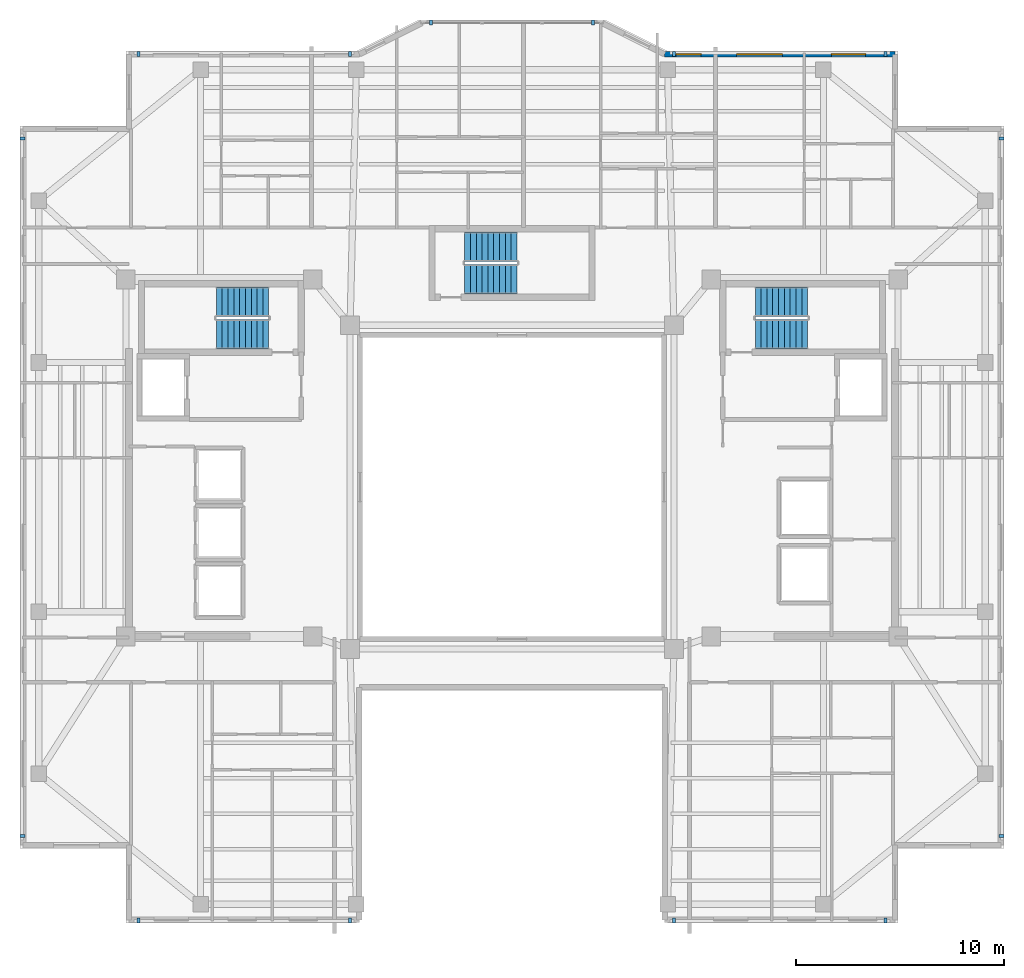
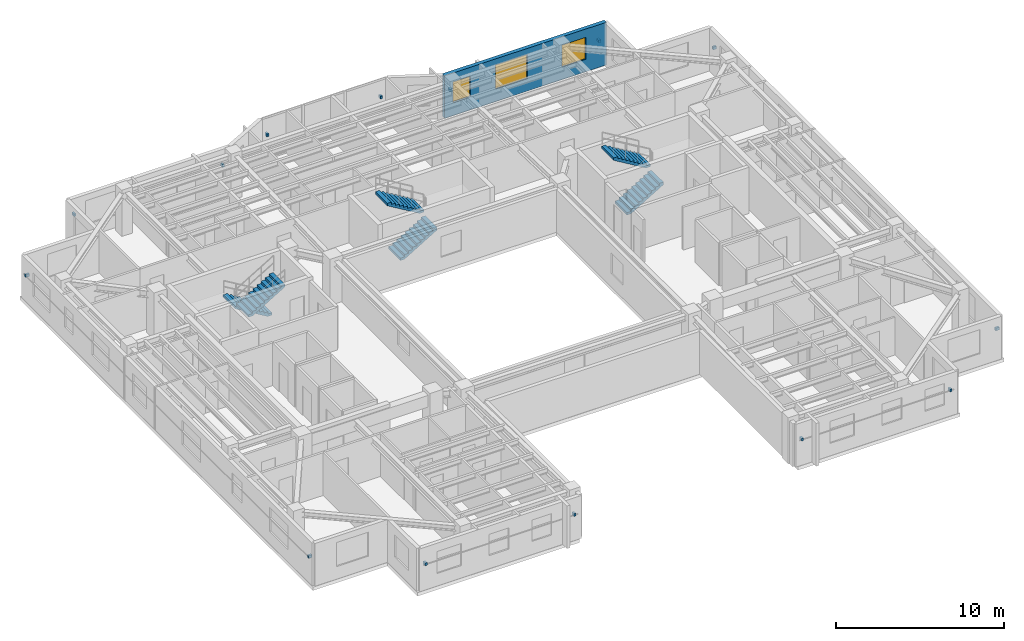
# One storey, part 9 of 12: 14 discrete accessories, 6 stair flights, 3 windows, 1 wall, 3 openings, 3 elements without a shape of their own.
"""IFC4 building model written with IfcOpenShell, lengths in metres."""

from ifc_helpers import new_model, si_unit, direction, frame, frame_2d, origin, origin_2d, place, context, subcontext, project, spatial, polyline, rectangle, outline, extrude, material, layer, layer_set, type_object, element, fill, aggregate, save


model = new_model("IFC4")

# Units and contexts
model_context = context("Model", 3, precision=1e-05, world=origin(), true_north=direction((0.0, 1.0)))
body_context = subcontext(model_context, "Body", "Model", "MODEL_VIEW")
ifc_project = project(units=[si_unit("LENGTHUNIT", "METRE"), si_unit("AREAUNIT", "SQUARE_METRE"), si_unit("VOLUMEUNIT", "CUBIC_METRE"), si_unit("PLANEANGLEUNIT", "RADIAN"), si_unit("MASSUNIT", "GRAM", prefix="KILO")], contexts=[model_context])

# Site, building, storey
site_placement = place(None, origin())
site = spatial("IfcSite", under=ifc_project, at=site_placement, CompositionType="ELEMENT")
building_placement = place(site_placement, origin())
building = spatial("IfcBuilding", under=site, at=building_placement, Name="Tarnavaz Court Tower", CompositionType="ELEMENT")
storey_placement = place(building_placement, frame((0.0, 0.0, 200.300048828125)))
storey = spatial("IfcBuildingStorey", under=building, at=storey_placement, Name="L54", CompositionType="ELEMENT", Elevation=200.300048828125)

# Wall, openings, windows
ifc_material_1 = material(Name="Precast Concrete C40/50", Category="concrete")
ifc_layer = layer(ifc_material_1, 0.260009765625)
ifc_layer_set = layer_set([ifc_layer], Name="Precast Concrete C40/50")
wall_type = type_object("IfcWallType", Name="WL-EXT-260", PredefinedType="SOLIDWALL", material=ifc_layer_set)
wall_placement = place(storey_placement, frame((7.35009765625, 20.85009765625, 0.0), z_axis=(0.0, 0.0, 1.0), x_axis=(1.0, 0.0, 0.0)))
wall = element("IfcWall", 1, at=wall_placement, inside=storey, type_object=wall_type, Name="L54 Exterior Terracotta Facade Wall 09", PredefinedType="SOLIDWALL", context=body_context, shape_type="SweptSolid", body=[
    extrude(rectangle(XDim=11.099853515625, YDim=0.260009765625, at=frame_2d((5.5498046875, 0.0))), origin(), (0.0, 0.0, 1.0), 3.099853515625),
])
opening_1_placement = place(wall_placement, frame((0.55517578125, 0.0, 0.949951171875)))
opening_1 = element("IfcOpeningElement", 2, at=opening_1_placement, cuts=wall, Name="Opening W05", PredefinedType="OPENING", context=body_context, shape_type="SweptSolid", body=[
    extrude(rectangle(XDim=1.199951171875, YDim=1.5, at=frame_2d((0.60009765625, 0.75))), frame((0.0, 0.139892578125, 0.0), z_axis=(0.0, -1.0, 0.0), x_axis=(1.0, 0.0, 0.0)), (0.0, 0.0, 1.0), 0.280029296875),
])
opening_2_placement = place(wall_placement, frame((3.470703125, 0.0, 0.89990234375)))
opening_2 = element("IfcOpeningElement", 3, at=opening_2_placement, cuts=wall, Name="Opening W07", PredefinedType="OPENING", context=body_context, shape_type="SweptSolid", body=[
    extrude(rectangle(XDim=2.199951171875, YDim=1.75, at=frame_2d((1.10009765625, 0.875))), frame((0.0, 0.139892578125, 0.0), z_axis=(0.0, -1.0, 0.0), x_axis=(1.0, 0.0, 0.0)), (0.0, 0.0, 1.0), 0.280029296875),
])
opening_3_placement = place(wall_placement, frame((8.039794921875, 0.0, 0.89990234375)))
opening_3 = element("IfcOpeningElement", 4, at=opening_3_placement, cuts=wall, Name="Opening W02", PredefinedType="OPENING", context=body_context, shape_type="SweptSolid", body=[
    extrude(rectangle(XDim=1.64990234375, YDim=1.60009765625, at=frame_2d((0.824951171875, 0.800048828125))), frame((0.0, 0.139892578125, 0.0), z_axis=(0.0, -1.0, 0.0), x_axis=(1.0, 0.0, 0.0)), (0.0, 0.0, 1.0), 0.280029296875),
])
ifc_material_2 = material(Name="Double-Glazed Solar Low-E Glass", Category="glass")
window_type_1 = type_object("IfcWindowType", Name="WN-APT-1200", PartitioningType="SINGLE_PANEL", PredefinedType="WINDOW", material=ifc_material_2)
window_1_placement = place(opening_1_placement, origin())
window_1 = element("IfcWindow", 5, at=window_1_placement, inside=storey, type_object=window_type_1, Name="L54 Flat 03 Bedroom 2 Window", OverallHeight=1.5, OverallWidth=1.199951171875, PartitioningType="SINGLE_PANEL", PredefinedType="WINDOW", context=body_context, shape_type="SweptSolid", body=[
    extrude(rectangle(XDim=1.199951171875, YDim=1.5, at=frame_2d((0.60009765625, 0.75))), frame((0.0, 0.030029296875, 0.0), z_axis=(0.0, -1.0, 0.0), x_axis=(1.0, 0.0, 0.0)), (0.0, 0.0, 1.0), 0.06005859375),
])
fill(opening_1, window_1)
window_type_2 = type_object("IfcWindowType", Name="WN-APT-1650", PartitioningType="DOUBLE_PANEL_VERTICAL", PredefinedType="WINDOW", material=ifc_material_2)
window_2_placement = place(opening_3_placement, origin())
window_2 = element("IfcWindow", 6, at=window_2_placement, inside=storey, type_object=window_type_2, Name="L54 Flat 04 Bedroom 1 Window", OverallHeight=1.60009765625, OverallWidth=1.64990234375, PartitioningType="SINGLE_PANEL", PredefinedType="WINDOW", context=body_context, shape_type="SweptSolid", body=[
    extrude(rectangle(XDim=1.64990234375, YDim=1.60009765625, at=frame_2d((0.824951171875, 0.800048828125))), frame((0.0, 0.030029296875, 0.0), z_axis=(0.0, -1.0, 0.0), x_axis=(1.0, 0.0, 0.0)), (0.0, 0.0, 1.0), 0.06005859375),
])
fill(opening_3, window_2)
window_type_3 = type_object("IfcWindowType", Name="WN-APT-2200", PartitioningType="TRIPLE_PANEL_VERTICAL", PredefinedType="WINDOW", material=ifc_material_2)
window_3_placement = place(opening_2_placement, origin())
window_3 = element("IfcWindow", 7, at=window_3_placement, inside=storey, type_object=window_type_3, Name="L54 Flat 04 Living and Dining Room Window", OverallHeight=1.75, OverallWidth=2.199951171875, PartitioningType="SINGLE_PANEL", PredefinedType="WINDOW", context=body_context, shape_type="SweptSolid", body=[
    extrude(rectangle(XDim=2.199951171875, YDim=1.75, at=frame_2d((1.10009765625, 0.875))), frame((0.0, 0.030029296875, 0.0), z_axis=(0.0, -1.0, 0.0), x_axis=(1.0, 0.0, 0.0)), (0.0, 0.0, 1.0), 0.06005859375),
])
fill(opening_2, window_3)

# Stair, stair flights
ifc_material_3 = material(Name="Concrete C40/50", Category="concrete")
stair_type = type_object("IfcStairType", Name="ST-TWR-20R", PredefinedType="HALF_TURN_STAIR", material=ifc_material_3)
stair_1_placement = place(storey_placement, origin())
stair_1 = element("IfcStair", 8, at=stair_1_placement, inside=storey, type_object=stair_type, Name="L54 West Core Pressurized Exit Stair ST-W1", PredefinedType="HALF_TURN_STAIR")
stair_flight_type = type_object("IfcStairFlightType", Name="SFL-RC-20R", PredefinedType="STRAIGHT", material=ifc_material_3)
stair_flight_1_placement = place(storey_placement, frame((-11.719970703125, 8.929931640625, 0.0), z_axis=(0.0, 0.0, 1.0), x_axis=(-1.0, 0.0, 0.0)))
stair_flight_1 = element("IfcStairFlight", 9, at=stair_flight_1_placement, type_object=stair_flight_type, Name="ST-W1 flight 1", NumberOfRisers=10, NumberOfTreads=9, PredefinedType="STRAIGHT", RiserHeight=0.1675, TreadLength=0.28, context=body_context, shape_type="SweptSolid", body=[
    extrude(outline(polyline([(0.0, 0.0), (0.0, 0.16748046875), (0.280029296875, 0.16748046875), (0.280029296875, 0.3349609375), (0.56005859375, 0.3349609375), (0.56005859375, 0.50244140625), (0.840087890625, 0.50244140625), (0.840087890625, 0.669921875), (1.1201171875, 0.669921875), (1.1201171875, 0.83740234375), (1.39990234375, 0.83740234375), (1.39990234375, 1.0048828125), (1.679931640625, 1.0048828125), (1.679931640625, 1.172607421875), (1.9599609375, 1.172607421875), (1.9599609375, 1.340087890625), (2.239990234375, 1.340087890625), (2.239990234375, 1.507568359375), (2.52001953125, 1.507568359375), (2.52001953125, 1.675048828125), (2.52001953125, 1.332763671875), (0.2919921875, 0.0), (0.0, 0.0)])), frame((0.0, 0.7099609375, 0.0), z_axis=(0.0, -1.0, 0.0), x_axis=(1.0, 0.0, 0.0)), (0.0, 0.0, 1.0), 1.419921875),
])
stair_flight_2_placement = place(storey_placement, frame((-14.239990234375, 7.360107421875, 1.675048828125), z_axis=(0.0, 0.0, 1.0), x_axis=(1.0, 0.0, 0.0)))
stair_flight_2 = element("IfcStairFlight", 10, at=stair_flight_2_placement, type_object=stair_flight_type, Name="ST-W1 flight 2", NumberOfRisers=10, NumberOfTreads=9, PredefinedType="STRAIGHT", RiserHeight=0.1675, TreadLength=0.28, context=body_context, shape_type="SweptSolid", body=[
    extrude(outline(polyline([(0.0, 0.0), (0.0, 0.16748046875), (0.280029296875, 0.16748046875), (0.280029296875, 0.3349609375), (0.56005859375, 0.3349609375), (0.56005859375, 0.50244140625), (0.840087890625, 0.50244140625), (0.840087890625, 0.669921875), (1.1201171875, 0.669921875), (1.1201171875, 0.83740234375), (1.39990234375, 0.83740234375), (1.39990234375, 1.0048828125), (1.679931640625, 1.0048828125), (1.679931640625, 1.172607421875), (1.9599609375, 1.172607421875), (1.9599609375, 1.340087890625), (2.239990234375, 1.340087890625), (2.239990234375, 1.507568359375), (2.52001953125, 1.507568359375), (2.52001953125, 1.675048828125), (2.52001953125, 1.332763671875), (0.2919921875, 0.0), (0.0, 0.0)])), frame((0.0, 0.7099609375, 0.0), z_axis=(0.0, -1.0, 0.0), x_axis=(1.0, 0.0, 0.0)), (0.0, 0.0, 1.0), 1.419921875),
])
aggregate(stair_1, [stair_flight_1, stair_flight_2])

stair_2_placement = place(storey_placement, origin())
stair_2 = element("IfcStair", 11, at=stair_2_placement, inside=storey, type_object=stair_type, Name="L54 East Core Pressurized Exit Stair ST-E1", PredefinedType="HALF_TURN_STAIR")
stair_flight_3_placement = place(storey_placement, frame((11.719970703125, 7.360107421875, 0.0), z_axis=(0.0, 0.0, 1.0), x_axis=(1.0, 0.0, 0.0)))
stair_flight_3 = element("IfcStairFlight", 12, at=stair_flight_3_placement, type_object=stair_flight_type, Name="ST-E1 flight 1", NumberOfRisers=10, NumberOfTreads=9, PredefinedType="STRAIGHT", RiserHeight=0.1675, TreadLength=0.28, context=body_context, shape_type="SweptSolid", body=[
    extrude(outline(polyline([(0.0, 0.0), (0.0, 0.16748046875), (0.280029296875, 0.16748046875), (0.280029296875, 0.3349609375), (0.56005859375, 0.3349609375), (0.56005859375, 0.50244140625), (0.840087890625, 0.50244140625), (0.840087890625, 0.669921875), (1.1201171875, 0.669921875), (1.1201171875, 0.83740234375), (1.39990234375, 0.83740234375), (1.39990234375, 1.0048828125), (1.679931640625, 1.0048828125), (1.679931640625, 1.172607421875), (1.9599609375, 1.172607421875), (1.9599609375, 1.340087890625), (2.239990234375, 1.340087890625), (2.239990234375, 1.507568359375), (2.52001953125, 1.507568359375), (2.52001953125, 1.675048828125), (2.52001953125, 1.332763671875), (0.2919921875, 0.0), (0.0, 0.0)])), frame((0.0, 0.7099609375, 0.0), z_axis=(0.0, -1.0, 0.0), x_axis=(1.0, 0.0, 0.0)), (0.0, 0.0, 1.0), 1.419921875),
])
stair_flight_4_placement = place(storey_placement, frame((14.239990234375, 8.929931640625, 1.675048828125), z_axis=(0.0, 0.0, 1.0), x_axis=(-1.0, 0.0, 0.0)))
stair_flight_4 = element("IfcStairFlight", 13, at=stair_flight_4_placement, type_object=stair_flight_type, Name="ST-E1 flight 2", NumberOfRisers=10, NumberOfTreads=9, PredefinedType="STRAIGHT", RiserHeight=0.1675, TreadLength=0.28, context=body_context, shape_type="SweptSolid", body=[
    extrude(outline(polyline([(0.0, 0.0), (0.0, 0.16748046875), (0.280029296875, 0.16748046875), (0.280029296875, 0.3349609375), (0.56005859375, 0.3349609375), (0.56005859375, 0.50244140625), (0.840087890625, 0.50244140625), (0.840087890625, 0.669921875), (1.1201171875, 0.669921875), (1.1201171875, 0.83740234375), (1.39990234375, 0.83740234375), (1.39990234375, 1.0048828125), (1.679931640625, 1.0048828125), (1.679931640625, 1.172607421875), (1.9599609375, 1.172607421875), (1.9599609375, 1.340087890625), (2.239990234375, 1.340087890625), (2.239990234375, 1.507568359375), (2.52001953125, 1.507568359375), (2.52001953125, 1.675048828125), (2.52001953125, 1.332763671875), (0.2919921875, 0.0), (0.0, 0.0)])), frame((0.0, 0.7099609375, 0.0), z_axis=(0.0, -1.0, 0.0), x_axis=(1.0, 0.0, 0.0)), (0.0, 0.0, 1.0), 1.419921875),
])
aggregate(stair_2, [stair_flight_3, stair_flight_4])

stair_3_placement = place(storey_placement, origin())
stair_3 = element("IfcStair", 14, at=stair_3_placement, inside=storey, type_object=stair_type, Name="L54 North Ring Pressurized Exit Stair ST-N1", PredefinedType="HALF_TURN_STAIR")
stair_flight_5_placement = place(storey_placement, frame((-2.280029296875, 10.010009765625, 0.0), z_axis=(0.0, 0.0, 1.0), x_axis=(1.0, 0.0, 0.0)))
stair_flight_5 = element("IfcStairFlight", 15, at=stair_flight_5_placement, type_object=stair_flight_type, Name="ST-N1 flight 1", NumberOfRisers=10, NumberOfTreads=9, PredefinedType="STRAIGHT", RiserHeight=0.1675, TreadLength=0.28, context=body_context, shape_type="SweptSolid", body=[
    extrude(outline(polyline([(0.0, 0.0), (0.0, 0.16748046875), (0.280029296875, 0.16748046875), (0.280029296875, 0.3349609375), (0.56005859375, 0.3349609375), (0.56005859375, 0.50244140625), (0.840087890625, 0.50244140625), (0.840087890625, 0.669921875), (1.1201171875, 0.669921875), (1.1201171875, 0.83740234375), (1.39990234375, 0.83740234375), (1.39990234375, 1.0048828125), (1.679931640625, 1.0048828125), (1.679931640625, 1.172607421875), (1.9599609375, 1.172607421875), (1.9599609375, 1.340087890625), (2.239990234375, 1.340087890625), (2.239990234375, 1.507568359375), (2.52001953125, 1.507568359375), (2.52001953125, 1.675048828125), (2.52001953125, 1.332763671875), (0.2919921875, 0.0), (0.0, 0.0)])), frame((0.0, 0.7099609375, 0.0), z_axis=(0.0, -1.0, 0.0), x_axis=(1.0, 0.0, 0.0)), (0.0, 0.0, 1.0), 1.419921875),
])
stair_flight_6_placement = place(storey_placement, frame((0.239990234375, 11.580078125, 1.675048828125), z_axis=(0.0, 0.0, 1.0), x_axis=(-1.0, 0.0, 0.0)))
stair_flight_6 = element("IfcStairFlight", 16, at=stair_flight_6_placement, type_object=stair_flight_type, Name="ST-N1 flight 2", NumberOfRisers=10, NumberOfTreads=9, PredefinedType="STRAIGHT", RiserHeight=0.1675, TreadLength=0.28, context=body_context, shape_type="SweptSolid", body=[
    extrude(outline(polyline([(0.0, 0.0), (0.0, 0.16748046875), (0.280029296875, 0.16748046875), (0.280029296875, 0.3349609375), (0.56005859375, 0.3349609375), (0.56005859375, 0.50244140625), (0.840087890625, 0.50244140625), (0.840087890625, 0.669921875), (1.1201171875, 0.669921875), (1.1201171875, 0.83740234375), (1.39990234375, 0.83740234375), (1.39990234375, 1.0048828125), (1.679931640625, 1.0048828125), (1.679931640625, 1.172607421875), (1.9599609375, 1.172607421875), (1.9599609375, 1.340087890625), (2.239990234375, 1.340087890625), (2.239990234375, 1.507568359375), (2.52001953125, 1.507568359375), (2.52001953125, 1.675048828125), (2.52001953125, 1.332763671875), (0.2919921875, 0.0), (0.0, 0.0)])), frame((0.0, 0.7099609375, 0.0), z_axis=(0.0, -1.0, 0.0), x_axis=(1.0, 0.0, 0.0)), (0.0, 0.0, 1.0), 1.419921875),
])
aggregate(stair_3, [stair_flight_5, stair_flight_6])

# Discrete accessories
ifc_material_4 = material(Name="Anodised Aluminium 6063-T6", Category="aluminium")
discrete_accessory_type = type_object("IfcDiscreteAccessoryType", Name="DA-BRKT-ALU", PredefinedType="BRACKET", material=ifc_material_4)
for number, where, z_axis, x_axis, name in (
    (17, (-23.570068359375, -16.800048828125, 1.75), (0.0, 0.0, 1.0), (0.0, 1.0, 0.0), "L54 Baguette Outrigger Bracket FBG02-1"),
    (18, (-23.570068359375, 16.800048828125, 1.75), (0.0, 0.0, 1.0), (0.0, 1.0, 0.0), "L54 Baguette Outrigger Bracket FBG02-2"),
    (19, (-18.0, 20.8701171875, 1.75), (0.0, 0.0, 1.0), (1.0, 0.0, 0.0), "L54 Baguette Outrigger Bracket FBG05-1"),
    (20, (-7.800048828125, 20.8701171875, 1.75), (0.0, 0.0, 1.0), (1.0, 0.0, 0.0), "L54 Baguette Outrigger Bracket FBG05-2"),
    (21, (-3.89990234375, 22.3701171875, 1.7001953125), (0.0, 0.0, 1.0), (1.0, 0.0, 0.0), "L54 Baguette Outrigger Bracket PBG7-1"),
    (22, (3.89990234375, 22.3701171875, 1.7001953125), (0.0, 0.0, 1.0), (1.0, 0.0, 0.0), "L54 Baguette Outrigger Bracket PBG7-2"),
    (23, (7.800048828125, 20.8701171875, 1.75), (0.0, 0.0, 1.0), (1.0, 0.0, 0.0), "L54 Baguette Outrigger Bracket FBG09-1"),
    (24, (18.0, 20.8701171875, 1.75), (0.0, 0.0, 1.0), (1.0, 0.0, 0.0), "L54 Baguette Outrigger Bracket FBG09-2"),
    (25, (23.570068359375, 16.800048828125, 1.75), (0.0, 0.0, 1.0), (0.0, -1.0, 0.0), "L54 Baguette Outrigger Bracket FBG12-1"),
    (26, (23.570068359375, -16.800048828125, 1.75), (0.0, 0.0, 1.0), (0.0, -1.0, 0.0), "L54 Baguette Outrigger Bracket FBG12-2"),
    (27, (18.0, -20.8701171875, 1.75), (0.0, 0.0, 1.0), (-1.0, 0.0, 0.0), "L54 Baguette Outrigger Bracket FBG15-1"),
    (28, (7.800048828125, -20.8701171875, 1.75), (0.0, 0.0, 1.0), (-1.0, 0.0, 0.0), "L54 Baguette Outrigger Bracket FBG15-2"),
    (29, (-7.800048828125, -20.8701171875, 1.75), (0.0, 0.0, 1.0), (-1.0, 0.0, 0.0), "L54 Baguette Outrigger Bracket FBG19-1"),
    (30, (-18.0, -20.8701171875, 1.75), (0.0, 0.0, 1.0), (-1.0, 0.0, 0.0), "L54 Baguette Outrigger Bracket FBG19-2"),
):
    element("IfcDiscreteAccessory", number, at=place(storey_placement, frame(where, z_axis=z_axis, x_axis=x_axis)), inside=storey, type_object=discrete_accessory_type, Name=name, PredefinedType="BRACKET", context=body_context, shape_type="SweptSolid", body=[
        extrude(rectangle(XDim=0.139892578125, YDim=0.239990234375, at=origin_2d()), origin(), (0.0, 0.0, 1.0), 0.199951171875),
    ])

save(model, "model.ifc")
